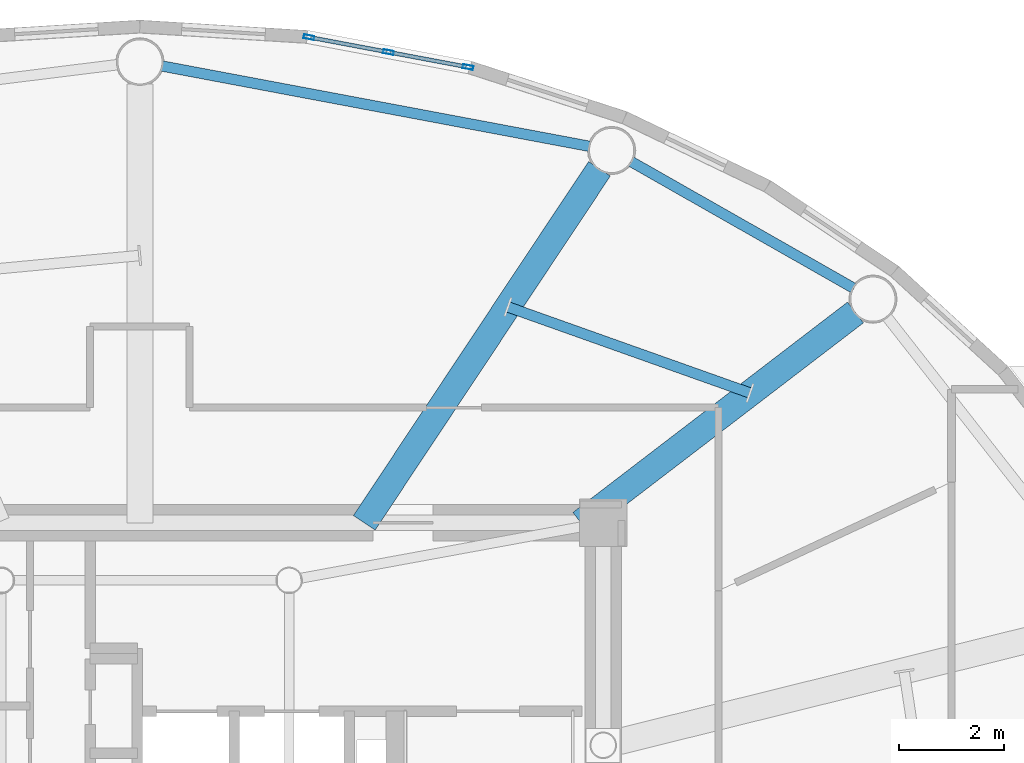
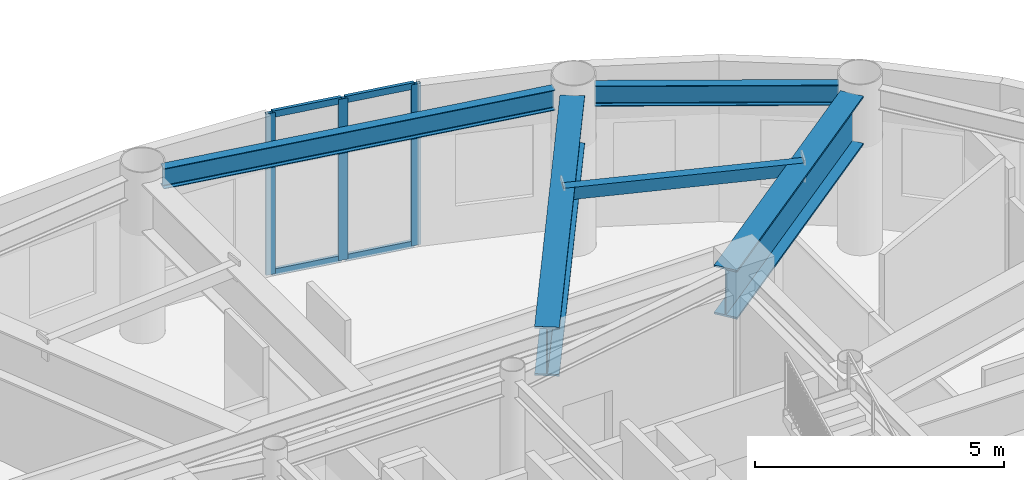
# One storey, part 10 of 26: 7 members, 5 beams, 1 element without a shape of its own.
"""IFC4 building model written with IfcOpenShell, lengths in metres."""

from ifc_helpers import new_model, si_unit, direction, frame, origin, origin_2d, place, context, subcontext, project, spatial, hollow_rectangle, i_section, extrude, source, transform, mapped, material, layer, layer_set, material_profile, profile_set, type_object, element, aggregate, save


model = new_model("IFC4")

# Units and contexts
model_context = context("Model", 3, precision=1e-05, world=origin(), true_north=direction((0.0, 1.0)))
body_context = subcontext(model_context, "Body", "Model", "MODEL_VIEW")
ifc_project = project(units=[si_unit("LENGTHUNIT", "METRE"), si_unit("AREAUNIT", "SQUARE_METRE"), si_unit("VOLUMEUNIT", "CUBIC_METRE"), si_unit("PLANEANGLEUNIT", "RADIAN"), si_unit("MASSUNIT", "GRAM", prefix="KILO")], contexts=[model_context])

# Site, building, storey
site_placement = place(None, origin())
site = spatial("IfcSite", under=ifc_project, at=site_placement, CompositionType="ELEMENT")
building_placement = place(site_placement, origin())
building = spatial("IfcBuilding", under=site, at=building_placement, Name="Linh Dai School and Residence Tower", CompositionType="ELEMENT")
storey_placement = place(building_placement, frame((0.0, 0.0, 351.0)))
storey = spatial("IfcBuildingStorey", under=building, at=storey_placement, Name="L87", CompositionType="ELEMENT", Elevation=351.0)

# Beams
ifc_material_1 = material(Name="Structural Steel S355JR", Category="steel")
ifc_material_profile_1 = material_profile(ifc_material_1, hollow_rectangle(XDim=0.199951171875, YDim=0.300048828125, WallThickness=0.010009765625, at=origin_2d()), Name="RHS 300x200x10")
ifc_profile_set_1 = profile_set([ifc_material_profile_1], Name="Structural Steel S355JR")
beam_type_1 = type_object("IfcBeamType", Name="BM-BX3", PredefinedType="BEAM", material=ifc_profile_set_1)
beam_1_placement = place(storey_placement, frame((47.654296875, 35.929931640625, 3.800048828125), z_axis=(-0.942259700993, 0.334883048069, 0.0), x_axis=(-0.334883048069, -0.942259700993, 0.0)))
element("IfcBeam", 1, at=beam_1_placement, inside=storey, type_object=beam_type_1, Name="L87 Secondary Circumferential Floor Beam 02", PredefinedType="BEAM", context=body_context, shape_type="SweptSolid", body=[
    extrude(hollow_rectangle(XDim=0.199951171875, YDim=0.300048828125, WallThickness=0.010009765625, at=origin_2d()), origin(), (0.0, 0.0, 1.0), 4.9072265625),
])
ifc_material_profile_2 = material_profile(ifc_material_1, i_section(OverallWidth=0.199951171875, OverallDepth=0.5, WebThickness=0.01025390625, FlangeThickness=0.01611328125, FilletRadius=0.02099609375, at=origin_2d()), Name="IPE 500")
ifc_profile_set_2 = profile_set([ifc_material_profile_2], Name="Structural Steel S355JR")
beam_type_2 = type_object("IfcBeamType", Name="BM-RB50", PredefinedType="BEAM", material=ifc_profile_set_2)
beam_2_placement = place(storey_placement, frame((49.637451171875, 37.930419921875, 3.699951171875), z_axis=(-0.86923725405, 0.494395182189, 0.0), x_axis=(-0.494395182189, -0.86923725405, 0.0)))
element("IfcBeam", 2, at=beam_2_placement, inside=storey, type_object=beam_type_2, Name="L87 Perimeter Elliptical Ring Beam 03", PredefinedType="BEAM", context=body_context, shape_type="SweptSolid", body=[
    extrude(i_section(OverallWidth=0.199951171875, OverallDepth=0.5, WebThickness=0.01025390625, FlangeThickness=0.01611328125, FilletRadius=0.02099609375, at=origin_2d()), origin(), (0.0, 0.0, 1.0), 4.903076171875),
])
beam_3_placement = place(storey_placement, frame((44.597412109375, 40.6396484375, 3.699951171875), z_axis=(-0.98280175603, 0.184663771066, 0.0), x_axis=(-0.184663771066, -0.98280175603, 0.0)))
element("IfcBeam", 3, at=beam_3_placement, inside=storey, type_object=beam_type_2, Name="L87 Perimeter Elliptical Ring Beam 04", PredefinedType="BEAM", context=body_context, shape_type="SweptSolid", body=[
    extrude(i_section(OverallWidth=0.199951171875, OverallDepth=0.5, WebThickness=0.01025390625, FlangeThickness=0.01611328125, FilletRadius=0.02099609375, at=origin_2d()), origin(), (0.0, 0.0, 1.0), 8.327880859375),
])
ifc_material_profile_3 = material_profile(ifc_material_1, i_section(OverallWidth=0.5, OverallDepth=1.199951171875, WebThickness=0.02392578125, FlangeThickness=0.044921875, at=origin_2d()), Name="PG 1200x500x24x45")
ifc_profile_set_3 = profile_set([ifc_material_profile_3], Name="Structural Steel S355JR")
beam_type_3 = type_object("IfcBeamType", Name="BM-TG12", PredefinedType="BEAM", material=ifc_profile_set_3)
beam_4_placement = place(storey_placement, frame((44.4228515625, 33.449951171875, 3.35009765625), z_axis=(0.793929753809, 0.608009495006, 0.0), x_axis=(-0.608009495006, 0.793929753809, 0.0)))
element("IfcBeam", 4, at=beam_4_placement, inside=storey, type_object=beam_type_3, Name="L87 Primary Radial Floor Girder 03", PredefinedType="BEAM", context=body_context, shape_type="SweptSolid", body=[
    extrude(i_section(OverallWidth=0.5, OverallDepth=1.199951171875, WebThickness=0.02392578125, FlangeThickness=0.044921875, at=origin_2d()), origin(), (0.0, 0.0, 1.0), 6.607666015625),
])
beam_5_placement = place(storey_placement, frame((40.28515625, 33.449951171875, 3.35009765625), z_axis=(0.553380967678, 0.832928270989, 0.0), x_axis=(-0.832928270989, 0.553380967678, 0.0)))
element("IfcBeam", 5, at=beam_5_placement, inside=storey, type_object=beam_type_3, Name="L87 Primary Radial Floor Girder 04", PredefinedType="BEAM", context=body_context, shape_type="SweptSolid", body=[
    extrude(i_section(OverallWidth=0.5, OverallDepth=1.199951171875, WebThickness=0.02392578125, FlangeThickness=0.044921875, at=origin_2d()), origin(), (0.0, 0.0, 1.0), 8.11865234375),
])

# Curtain wall, members
ifc_material_2 = material(Name="Aluminium Anodised Curtain Wall", Category="aluminium")
ifc_layer = layer(ifc_material_2, 0.199951171875)
ifc_layer_set = layer_set([ifc_layer], Name="Aluminium Anodised Curtain Wall")
curtain_wall_type = type_object("IfcCurtainWallType", Name="CW-SYS-6", PredefinedType="USERDEFINED", material=ifc_layer_set)
curtain_wall_placement = place(storey_placement, origin())
curtain_wall = element("IfcCurtainWall", 6, at=curtain_wall_placement, inside=storey, type_object=curtain_wall_type, Name="L87 CW6 Curtain Wall 09", ObjectType="UNITISED CURTAIN WALL", PredefinedType="USERDEFINED")
ifc_material_3 = material(Name="Aluminium Alloy 6063-T6", Category="aluminium")
ifc_material_profile_4 = material_profile(ifc_material_3, hollow_rectangle(XDim=0.074951171875, YDim=0.159912109375, WallThickness=0.00390625, at=origin_2d()), Name="RHS 160x75x4")
ifc_profile_set_4 = profile_set([ifc_material_profile_4], Name="Aluminium Alloy 6063-T6")
member_type_1 = type_object("IfcMemberType", Name="CW-SYS-6-TRN", PredefinedType="USERDEFINED", material=ifc_profile_set_4)
shared_shape_1 = source(origin(), body_context, "Body", "SweptSolid", [
    extrude(hollow_rectangle(XDim=0.074951171875, YDim=0.159912109375, WallThickness=0.00390625, at=origin_2d()), origin(), (0.0, 0.0, 1.0), 1.47119140625),
])
member_1_placement = place(storey_placement, frame((39.26513671875, 42.719482421875, 0.03759765625), z_axis=(0.982763050939, -0.184869645178, 0.0), x_axis=(0.184869645178, 0.982763050939, 0.0)))
member_1 = element("IfcMember", 7, at=member_1_placement, type_object=member_type_1, Name="CW6 transom 1.1", ObjectType="TRANSOM", PredefinedType="USERDEFINED", context=body_context, shape_type="MappedRepresentation", body=[
    mapped(shared_shape_1, transform((0.0, 0.0, 0.0), x_axis=(1.0, 0.0, 0.0), y_axis=(0.0, 1.0, 0.0), z_axis=(0.0, 0.0, 1.0), scale=1.0)),
])
member_2_placement = place(storey_placement, frame((39.26513671875, 42.719482421875, 3.91259765625), z_axis=(0.982763050939, -0.184869645178, 0.0), x_axis=(0.184869645178, 0.982763050939, 0.0)))
member_2 = element("IfcMember", 8, at=member_2_placement, type_object=member_type_1, Name="CW6 transom 1.2", ObjectType="TRANSOM", PredefinedType="USERDEFINED", context=body_context, shape_type="MappedRepresentation", body=[
    mapped(shared_shape_1, transform((0.0, 0.0, 0.0), x_axis=(1.0, 0.0, 0.0), y_axis=(0.0, 1.0, 0.0), z_axis=(0.0, 0.0, 1.0), scale=1.0)),
])
shared_shape_2 = source(origin(), body_context, "Body", "SweptSolid", [
    extrude(hollow_rectangle(XDim=0.074951171875, YDim=0.159912109375, WallThickness=0.00390625, at=origin_2d()), origin(), (0.0, 0.0, 1.0), 1.470947265625),
])
member_3_placement = place(storey_placement, frame((40.78466796875, 42.433837890625, 0.03759765625), z_axis=(0.982757377873, -0.184899800532, 0.0), x_axis=(0.184899800532, 0.982757377873, 0.0)))
member_3 = element("IfcMember", 9, at=member_3_placement, type_object=member_type_1, Name="CW6 transom 2.1", ObjectType="TRANSOM", PredefinedType="USERDEFINED", context=body_context, shape_type="MappedRepresentation", body=[
    mapped(shared_shape_2, transform((0.0, 0.0, 0.0), x_axis=(1.0, 0.0, 0.0), y_axis=(0.0, 1.0, 0.0), z_axis=(0.0, 0.0, 1.0), scale=1.0)),
])
member_4_placement = place(storey_placement, frame((40.78466796875, 42.433837890625, 3.91259765625), z_axis=(0.982757377873, -0.184899800532, 0.0), x_axis=(0.184899800532, 0.982757377873, 0.0)))
member_4 = element("IfcMember", 10, at=member_4_placement, type_object=member_type_1, Name="CW6 transom 2.2", ObjectType="TRANSOM", PredefinedType="USERDEFINED", context=body_context, shape_type="MappedRepresentation", body=[
    mapped(shared_shape_2, transform((0.0, 0.0, 0.0), x_axis=(1.0, 0.0, 0.0), y_axis=(0.0, 1.0, 0.0), z_axis=(0.0, 0.0, 1.0), scale=1.0)),
])
ifc_material_profile_5 = material_profile(ifc_material_3, hollow_rectangle(XDim=0.074951171875, YDim=0.199951171875, WallThickness=0.00390625, at=origin_2d()), Name="RHS 200x75x4")
ifc_profile_set_5 = profile_set([ifc_material_profile_5], Name="Aluminium Alloy 6063-T6")
member_type_2 = type_object("IfcMemberType", Name="CW-SYS-6-MUL", PredefinedType="MULLION", material=ifc_profile_set_5)
shared_shape_3 = source(origin(), body_context, "Body", "SweptSolid", [
    extrude(hollow_rectangle(XDim=0.074951171875, YDim=0.199951171875, WallThickness=0.00390625, at=origin_2d()), origin(), (0.0, 0.0, 1.0), 3.949951171875),
])
member_5_placement = place(storey_placement, frame((39.228271484375, 42.726318359375, 0.0), z_axis=(0.0, 0.0, 1.0), x_axis=(0.184784564405, 0.982779051851, 0.0)))
member_5 = element("IfcMember", 11, at=member_5_placement, type_object=member_type_2, Name="CW6 mullion 1", PredefinedType="MULLION", context=body_context, shape_type="MappedRepresentation", body=[
    mapped(shared_shape_3, transform((0.0, 0.0, 0.0), x_axis=(1.0, 0.0, 0.0), y_axis=(0.0, 1.0, 0.0), z_axis=(0.0, 0.0, 1.0), scale=1.0)),
])
member_6_placement = place(storey_placement, frame((40.747802734375, 42.440673828125, 0.0), z_axis=(0.0, 0.0, 1.0), x_axis=(0.184784564405, 0.982779051851, 0.0)))
member_6 = element("IfcMember", 12, at=member_6_placement, type_object=member_type_2, Name="CW6 mullion 2", PredefinedType="MULLION", context=body_context, shape_type="MappedRepresentation", body=[
    mapped(shared_shape_3, transform((0.0, 0.0, 0.0), x_axis=(1.0, 0.0, 0.0), y_axis=(0.0, 1.0, 0.0), z_axis=(0.0, 0.0, 1.0), scale=1.0)),
])
member_7_placement = place(storey_placement, frame((42.26708984375, 42.155029296875, 0.0), z_axis=(0.0, 0.0, 1.0), x_axis=(0.184784564405, 0.982779051851, 0.0)))
member_7 = element("IfcMember", 13, at=member_7_placement, type_object=member_type_2, Name="CW6 mullion 3", PredefinedType="MULLION", context=body_context, shape_type="MappedRepresentation", body=[
    mapped(shared_shape_3, transform((0.0, 0.0, 0.0), x_axis=(1.0, 0.0, 0.0), y_axis=(0.0, 1.0, 0.0), z_axis=(0.0, 0.0, 1.0), scale=1.0)),
])
aggregate(curtain_wall, [member_5, member_6, member_7, member_1, member_2, member_3, member_4])

save(model, "model.ifc")
